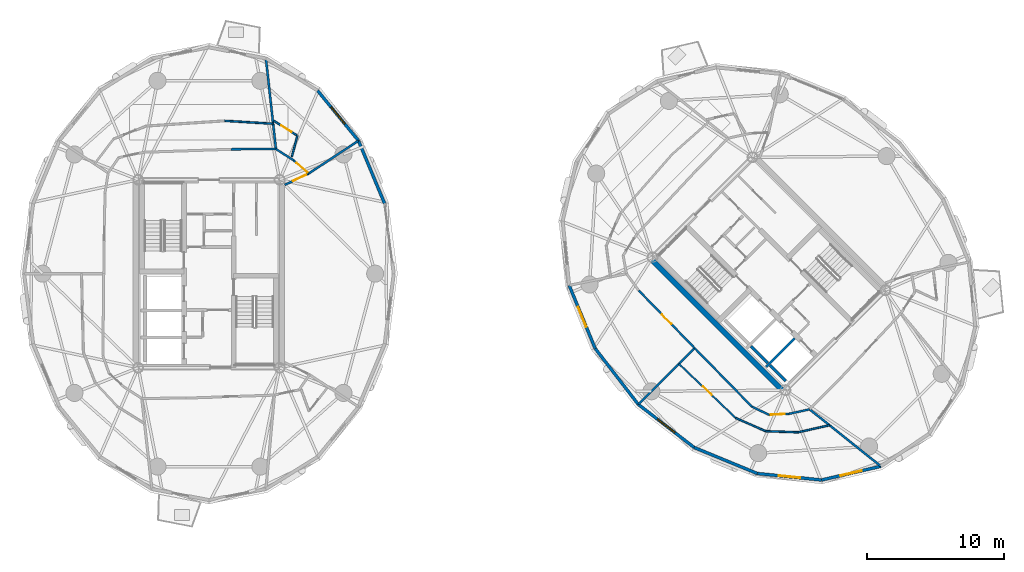
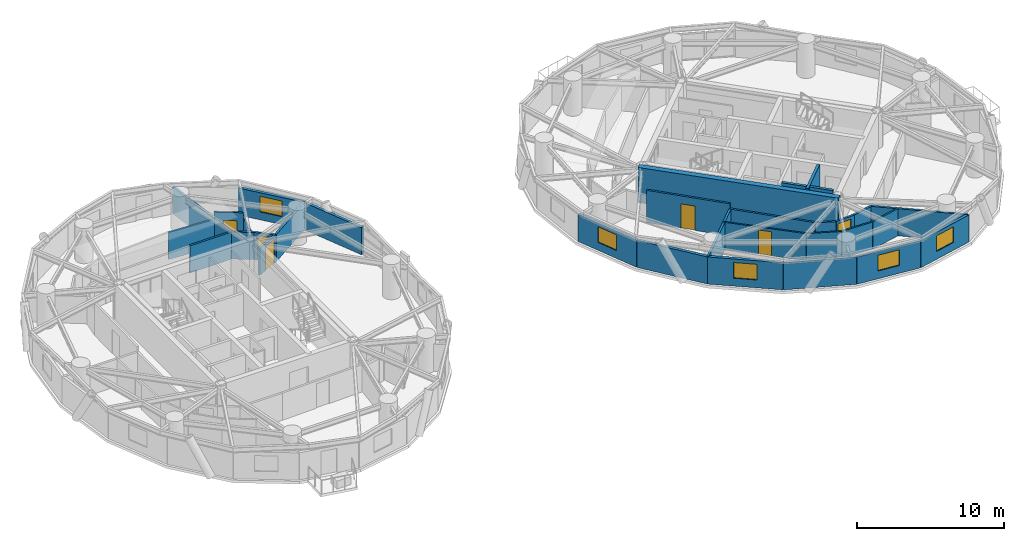
# One storey, part 10 of 16: 32 walls, 6 doors, 5 windows, 11 openings.
"""IFC4 building model written with IfcOpenShell, lengths in metres."""

from ifc_helpers import new_model, si_unit, direction, frame, frame_2d, origin, place, context, subcontext, project, spatial, rectangle, extrude, source, transform, mapped, material, layer, layer_set, type_object, element, fill, save


model = new_model("IFC4")

# Units and contexts
model_context = context("Model", 3, precision=1e-05, world=origin(), true_north=direction((0.0, 1.0)))
body_context = subcontext(model_context, "Body", "Model", "MODEL_VIEW")
ifc_project = project(units=[si_unit("LENGTHUNIT", "METRE"), si_unit("AREAUNIT", "SQUARE_METRE"), si_unit("VOLUMEUNIT", "CUBIC_METRE"), si_unit("PLANEANGLEUNIT", "RADIAN"), si_unit("MASSUNIT", "GRAM", prefix="KILO")], contexts=[model_context])

# Site, building, storey
site_placement = place(None, origin())
site = spatial("IfcSite", under=ifc_project, at=site_placement, CompositionType="ELEMENT")
building_placement = place(site_placement, origin())
building = spatial("IfcBuilding", under=site, at=building_placement, Name="Cununo Teusaquillo Station Towers", CompositionType="ELEMENT")
storey_placement = place(building_placement, frame((0.0, 0.0, 171.969970703125)))
storey = spatial("IfcBuildingStorey", under=building, at=storey_placement, Name="L54", CompositionType="ELEMENT", Elevation=171.969970703125)

# Walls
ifc_material_1 = material(Name="Concrete C50/60", Category="concrete")
ifc_layer_1 = layer(ifc_material_1, 0.199951171875)
ifc_layer_set_1 = layer_set([ifc_layer_1], Name="Concrete C50/60")
wall_type_1 = type_object("IfcWallType", Name="WL-CORE-200", PredefinedType="SHEAR", material=ifc_layer_set_1)
wall_1_placement = place(storey_placement, frame((57.2841796875, 17.6728515625, 0.0), z_axis=(0.0, 0.0, 1.0), x_axis=(0.707147878904, 0.70706568108, 0.0)))
element("IfcWall", 1, at=wall_1_placement, inside=storey, type_object=wall_type_1, Name="L54 Tower B High-Rise Lift Hoistway Divider Shear Wall", PredefinedType="SHEAR", context=body_context, shape_type="SweptSolid", body=[
    extrude(rectangle(XDim=2.97021484375, YDim=0.199951171875, at=frame_2d((1.485107421875, 0.0))), origin(), (0.0, 0.0, 1.0), 2.909912109375),
])
wall_2_placement = place(storey_placement, frame((57.41162109375, 17.969970703125, 0.0), z_axis=(0.0, 0.0, 1.0), x_axis=(-0.707106781187, 0.707106781187, 0.0)))
element("IfcWall", 2, at=wall_2_placement, inside=storey, type_object=wall_type_1, Name="L54 Tower B High-Rise Lift 2 Shaft Rear Shear Wall", PredefinedType="SHEAR", context=body_context, shape_type="SweptSolid", body=[
    extrude(rectangle(XDim=1.73486328125, YDim=0.199951171875, at=frame_2d((0.867431640625, 0.0))), origin(), (0.0, 0.0, 1.0), 2.909912109375),
])
wall_3_placement = place(storey_placement, frame((58.7373046875, 16.64404296875, 0.0), z_axis=(0.0, 0.0, 1.0), x_axis=(-0.707032117043, 0.707181437447, 0.0)))
element("IfcWall", 3, at=wall_3_placement, inside=storey, type_object=wall_type_1, Name="L54 Tower B High-Rise Lift 1 Shaft Rear Shear Wall", PredefinedType="SHEAR", context=body_context, shape_type="SweptSolid", body=[
    extrude(rectangle(XDim=1.635009765625, YDim=0.199951171875, at=frame_2d((0.8173828125, 0.0))), origin(), (0.0, 0.0, 1.0), 2.909912109375),
])
ifc_material_2 = material(Name="Concrete C50/60", Category="concrete")
ifc_layer_2 = layer(ifc_material_2, 0.39990234375)
ifc_layer_set_2 = layer_set([ifc_layer_2], Name="Concrete C50/60")
wall_type_2 = type_object("IfcWallType", Name="WL-CORE-400", PredefinedType="SHEAR", material=ifc_layer_set_2)
wall_4_placement = place(storey_placement, frame((58.7021484375, 15.73193359375, 0.0), z_axis=(0.0, 0.0, 1.0), x_axis=(-0.707106781187, 0.707106781187, 0.0)))
element("IfcWall", 4, at=wall_4_placement, inside=storey, type_object=wall_type_2, Name="L54 Tower B Core Shear Wall W", PredefinedType="SHEAR", context=body_context, shape_type="SweptSolid", body=[
    extrude(rectangle(XDim=14.10009765625, YDim=0.39990234375, at=frame_2d((7.050048828125, 0.0))), origin(), (0.0, 0.0, 1.0), 2.909912109375),
])
ifc_material_3 = material(Name="Precast concrete C40/50", Category="concrete")
ifc_layer_3 = layer(ifc_material_3, 0.219970703125)
ifc_layer_set_3 = layer_set([ifc_layer_3], Name="Precast concrete C40/50")
wall_type_3 = type_object("IfcWallType", Name="WL-EXT-220", PredefinedType="SOLIDWALL", material=ifc_layer_set_3)
wall_5_placement = place(storey_placement, frame((27.44677734375, 34.239501953125, 0.0), z_axis=(0.0, 0.0, 1.0), x_axis=(0.384144094086, -0.923273152961, 0.0)))
element("IfcWall", 5, at=wall_5_placement, inside=storey, type_object=wall_type_3, Name="L54 Tower A Exterior Facade Wall C01", PredefinedType="SOLIDWALL", context=body_context, shape_type="SweptSolid", body=[
    extrude(rectangle(XDim=5.0029296875, YDim=0.219970703125, at=frame_2d((2.50146484375, 0.0))), origin(), (0.0, 0.0, 1.0), 2.2451171875),
])

# Wall, opening, window
wall_6_placement = place(storey_placement, frame((24.453369140625, 37.905517578125, 0.0), z_axis=(0.0, 0.0, 1.0), x_axis=(0.632470615287, -0.774584353572, 0.0)))
wall_6 = element("IfcWall", 6, at=wall_6_placement, inside=storey, type_object=wall_type_3, Name="L54 Tower A Exterior Facade Wall C02", PredefinedType="SOLIDWALL", context=body_context, shape_type="SweptSolid", body=[
    extrude(rectangle(XDim=4.73291015625, YDim=0.219970703125, at=frame_2d((2.366455078125, 0.0))), origin(), (0.0, 0.0, 1.0), 2.2451171875),
])
shared_shape_1 = source(origin(), body_context, "Body", "SweptSolid", [
    extrude(rectangle(XDim=1.60009765625, YDim=1.300048828125, at=frame_2d((0.800048828125, 0.64990234375))), frame((0.0, 0.119873046875, 0.0), z_axis=(0.0, -1.0, 0.0), x_axis=(1.0, 0.0, 0.0)), (0.0, 0.0, 1.0), 0.239990234375),
])
opening_1_placement = place(wall_6_placement, frame((1.56591796875, 0.0, 0.64990234375)))
opening_1 = element("IfcOpeningElement", 7, at=opening_1_placement, cuts=wall_6, Name="Opening WN-03", PredefinedType="OPENING", context=body_context, shape_type="MappedRepresentation", body=[
    mapped(shared_shape_1, transform((0.0, 0.0, 0.0), x_axis=(1.0, 0.0, 0.0), y_axis=(0.0, 1.0, 0.0), z_axis=(0.0, 0.0, 1.0), scale=1.0)),
])
ifc_material_4 = material(Name="Ceramic-fritted dark low-E double glazing", Category="glass")
window_type = type_object("IfcWindowType", Name="WIN-CORN-1600", PartitioningType="SINGLE_PANEL", PredefinedType="WINDOW", material=ifc_material_4)
shared_shape_2 = source(origin(), body_context, "Body", "SweptSolid", [
    extrude(rectangle(XDim=1.60009765625, YDim=1.300048828125, at=frame_2d((0.800048828125, 0.64990234375))), frame((0.0, 0.030029296875, 0.0), z_axis=(0.0, -1.0, 0.0), x_axis=(1.0, 0.0, 0.0)), (0.0, 0.0, 1.0), 0.06005859375),
])
window_1_placement = place(opening_1_placement, origin())
window_1 = element("IfcWindow", 8, at=window_1_placement, inside=storey, type_object=window_type, Name="L54 Tower A Facade Window C02", OverallHeight=1.300048828125, OverallWidth=1.60009765625, PartitioningType="SINGLE_PANEL", PredefinedType="WINDOW", context=body_context, shape_type="MappedRepresentation", body=[
    mapped(shared_shape_2, transform((0.0, 0.0, 0.0), x_axis=(1.0, 0.0, 0.0), y_axis=(0.0, 1.0, 0.0), z_axis=(0.0, 0.0, 1.0), scale=1.0)),
])
fill(opening_1, window_1)

wall_7_placement = place(storey_placement, frame((44.77978515625, 19.02099609375, 0.0), z_axis=(0.0, 0.0, 1.0), x_axis=(-0.381196434348, 0.924494066201, 0.0)))
wall_7 = element("IfcWall", 9, at=wall_7_placement, inside=storey, type_object=wall_type_3, Name="L54 Tower B Exterior Facade Wall C08", PredefinedType="SOLIDWALL", context=body_context, shape_type="SweptSolid", body=[
    extrude(rectangle(XDim=5.003173828125, YDim=0.219970703125, at=frame_2d((2.50146484375, 0.0))), origin(), (0.0, 0.0, 1.0), 2.2451171875),
])
opening_2_placement = place(wall_7_placement, frame((1.701904296875, 0.0, 0.64990234375)))
opening_2 = element("IfcOpeningElement", 10, at=opening_2_placement, cuts=wall_7, Name="Opening WN-03", PredefinedType="OPENING", context=body_context, shape_type="MappedRepresentation", body=[
    mapped(shared_shape_1, transform((0.0, 0.0, 0.0), x_axis=(1.0, 0.0, 0.0), y_axis=(0.0, 1.0, 0.0), z_axis=(0.0, 0.0, 1.0), scale=1.0)),
])
window_2_placement = place(opening_2_placement, origin())
window_2 = element("IfcWindow", 11, at=window_2_placement, inside=storey, type_object=window_type, Name="L54 Tower B Facade Window C08", OverallHeight=1.300048828125, OverallWidth=1.60009765625, PartitioningType="SINGLE_PANEL", PredefinedType="WINDOW", context=body_context, shape_type="MappedRepresentation", body=[
    mapped(shared_shape_2, transform((0.0, 0.0, 0.0), x_axis=(1.0, 0.0, 0.0), y_axis=(0.0, 1.0, 0.0), z_axis=(0.0, 0.0, 1.0), scale=1.0)),
])
fill(opening_2, window_2)

# Wall
wall_8_placement = place(storey_placement, frame((47.93212890625, 14.93212890625, 0.0), z_axis=(0.0, 0.0, 1.0), x_axis=(-0.610569654715, 0.791962560189, 0.0)))
element("IfcWall", 12, at=wall_8_placement, inside=storey, type_object=wall_type_3, Name="L54 Tower B Exterior Facade Wall C09", PredefinedType="SOLIDWALL", context=body_context, shape_type="SweptSolid", body=[
    extrude(rectangle(XDim=5.162841796875, YDim=0.219970703125, at=frame_2d((2.58154296875, 0.0))), origin(), (0.0, 0.0, 1.0), 2.2451171875),
])

# Wall, opening, window
wall_9_placement = place(storey_placement, frame((52.02099609375, 11.77978515625, 0.0), z_axis=(0.0, 0.0, 1.0), x_axis=(-0.791962560189, 0.610569654715, 0.0)))
wall_9 = element("IfcWall", 13, at=wall_9_placement, inside=storey, type_object=wall_type_3, Name="L54 Tower B Exterior Facade Wall C10", PredefinedType="SOLIDWALL", context=body_context, shape_type="SweptSolid", body=[
    extrude(rectangle(XDim=5.162841796875, YDim=0.219970703125, at=frame_2d((2.58154296875, 0.0))), origin(), (0.0, 0.0, 1.0), 2.2451171875),
])
opening_3_placement = place(wall_9_placement, frame((1.781982421875, 0.0, 0.64990234375)))
opening_3 = element("IfcOpeningElement", 14, at=opening_3_placement, cuts=wall_9, Name="Opening WN-03", PredefinedType="OPENING", context=body_context, shape_type="MappedRepresentation", body=[
    mapped(shared_shape_1, transform((0.0, 0.0, 0.0), x_axis=(1.0, 0.0, 0.0), y_axis=(0.0, 1.0, 0.0), z_axis=(0.0, 0.0, 1.0), scale=1.0)),
])
window_3_placement = place(opening_3_placement, origin())
window_3 = element("IfcWindow", 15, at=window_3_placement, inside=storey, type_object=window_type, Name="L54 Tower B Facade Window C10", OverallHeight=1.300048828125, OverallWidth=1.60009765625, PartitioningType="SINGLE_PANEL", PredefinedType="WINDOW", context=body_context, shape_type="MappedRepresentation", body=[
    mapped(shared_shape_2, transform((0.0, 0.0, 0.0), x_axis=(1.0, 0.0, 0.0), y_axis=(0.0, 1.0, 0.0), z_axis=(0.0, 0.0, 1.0), scale=1.0)),
])
fill(opening_3, window_3)

# Wall
wall_10_placement = place(storey_placement, frame((56.646484375, 9.87255859375, 0.0), z_axis=(0.0, 0.0, 1.0), x_axis=(-0.924494066201, 0.381196434348, 0.0)))
element("IfcWall", 16, at=wall_10_placement, inside=storey, type_object=wall_type_3, Name="L54 Tower B Exterior Facade Wall C11", PredefinedType="SOLIDWALL", context=body_context, shape_type="SweptSolid", body=[
    extrude(rectangle(XDim=5.003173828125, YDim=0.219970703125, at=frame_2d((2.50146484375, 0.0))), origin(), (0.0, 0.0, 1.0), 2.2451171875),
])

# Wall, opening, window
wall_11_placement = place(storey_placement, frame((61.355224609375, 9.397216796875, 0.0), z_axis=(0.0, 0.0, 1.0), x_axis=(-0.994943283129, 0.100438356004, 0.0)))
wall_11 = element("IfcWall", 17, at=wall_11_placement, inside=storey, type_object=wall_type_3, Name="L54 Tower B Exterior Facade Wall C12", PredefinedType="SOLIDWALL", context=body_context, shape_type="SweptSolid", body=[
    extrude(rectangle(XDim=4.732666015625, YDim=0.219970703125, at=frame_2d((2.3662109375, 0.0))), origin(), (0.0, 0.0, 1.0), 2.2451171875),
])
opening_4_placement = place(wall_11_placement, frame((1.56591796875, 0.0, 0.64990234375)))
opening_4 = element("IfcOpeningElement", 18, at=opening_4_placement, cuts=wall_11, Name="Opening WN-03", PredefinedType="OPENING", context=body_context, shape_type="MappedRepresentation", body=[
    mapped(shared_shape_1, transform((0.0, 0.0, 0.0), x_axis=(1.0, 0.0, 0.0), y_axis=(0.0, 1.0, 0.0), z_axis=(0.0, 0.0, 1.0), scale=1.0)),
])
window_4_placement = place(opening_4_placement, origin())
window_4 = element("IfcWindow", 19, at=window_4_placement, inside=storey, type_object=window_type, Name="L54 Tower B Facade Window C12", OverallHeight=1.300048828125, OverallWidth=1.60009765625, PartitioningType="SINGLE_PANEL", PredefinedType="WINDOW", context=body_context, shape_type="MappedRepresentation", body=[
    mapped(shared_shape_2, transform((0.0, 0.0, 0.0), x_axis=(1.0, 0.0, 0.0), y_axis=(0.0, 1.0, 0.0), z_axis=(0.0, 0.0, 1.0), scale=1.0)),
])
fill(opening_4, window_4)

wall_12_placement = place(storey_placement, frame((65.686767578125, 10.400146484375, 0.0), z_axis=(0.0, 0.0, 1.0), x_axis=(-0.97422620202, -0.22557328587, 0.0)))
wall_12 = element("IfcWall", 20, at=wall_12_placement, inside=storey, type_object=wall_type_3, Name="L54 Tower B Exterior Facade Wall C13", PredefinedType="SOLIDWALL", context=body_context, shape_type="SweptSolid", body=[
    extrude(rectangle(XDim=4.446044921875, YDim=0.219970703125, at=frame_2d((2.22314453125, 0.0))), origin(), (0.0, 0.0, 1.0), 2.2451171875),
])
opening_5_placement = place(wall_12_placement, frame((1.423095703125, 0.0, 0.64990234375)))
opening_5 = element("IfcOpeningElement", 21, at=opening_5_placement, cuts=wall_12, Name="Opening WN-03", PredefinedType="OPENING", context=body_context, shape_type="MappedRepresentation", body=[
    mapped(shared_shape_1, transform((0.0, 0.0, 0.0), x_axis=(1.0, 0.0, 0.0), y_axis=(0.0, 1.0, 0.0), z_axis=(0.0, 0.0, 1.0), scale=1.0)),
])
window_5_placement = place(opening_5_placement, origin())
window_5 = element("IfcWindow", 22, at=window_5_placement, inside=storey, type_object=window_type, Name="L54 Tower B Facade Window C13", OverallHeight=1.300048828125, OverallWidth=1.60009765625, PartitioningType="SINGLE_PANEL", PredefinedType="WINDOW", context=body_context, shape_type="MappedRepresentation", body=[
    mapped(shared_shape_2, transform((0.0, 0.0, 0.0), x_axis=(1.0, 0.0, 0.0), y_axis=(0.0, 1.0, 0.0), z_axis=(0.0, 0.0, 1.0), scale=1.0)),
])
fill(opening_5, window_5)

# Wall
ifc_material_5 = material(Name="Fire-rated gypsum plasterboard partition assembly", Category="gypsum")
ifc_layer_4 = layer(ifc_material_5, 0.125)
ifc_layer_set_4 = layer_set([ifc_layer_4], Name="Fire-rated gypsum plasterboard partition assembly")
wall_type_4 = type_object("IfcWallType", Name="WL-PART-125", PredefinedType="PARTITIONING", material=ifc_layer_set_4)
wall_13_placement = place(storey_placement, frame((22.573974609375, 33.066650390625, 0.0), z_axis=(0.0, 0.0, 1.0), x_axis=(0.251728683558, 0.967797845562, 0.0)))
element("IfcWall", 23, at=wall_13_placement, inside=storey, type_object=wall_type_4, Name="L54 Tower A S01 En-suite Side Wall", PredefinedType="PARTITIONING", context=body_context, shape_type="SweptSolid", body=[
    extrude(rectangle(XDim=1.591552734375, YDim=0.125, at=frame_2d((0.7958984375, 0.0))), origin(), (0.0, 0.0, 1.0), 2.2451171875),
])

# Wall, opening, door
wall_14_placement = place(storey_placement, frame((22.922119140625, 34.639892578125, 0.0), z_axis=(0.0, 0.0, 1.0), x_axis=(-0.846020986113, 0.533149595382, 0.0)))
wall_14 = element("IfcWall", 24, at=wall_14_placement, inside=storey, type_object=wall_type_4, Name="L54 Tower A S01 En-suite Back Wall", PredefinedType="PARTITIONING", context=body_context, shape_type="SweptSolid", body=[
    extrude(rectangle(XDim=1.98291015625, YDim=0.125, at=frame_2d((0.991455078125, 0.0))), origin(), (0.0, 0.0, 1.0), 2.675048828125),
])
shared_shape_3 = source(origin(), body_context, "Body", "SweptSolid", [
    extrude(rectangle(XDim=0.89990234375, YDim=2.0048828125, at=frame_2d((0.449951171875, 1.00244140625))), frame((0.0, 0.072509765625, 0.0), z_axis=(0.0, -1.0, 0.0), x_axis=(1.0, 0.0, 0.0)), (0.0, 0.0, 1.0), 0.14501953125),
])
opening_6_placement = place(wall_14_placement, frame((0.43603515625, 0.0, 0.0)))
opening_6 = element("IfcOpeningElement", 25, at=opening_6_placement, cuts=wall_14, Name="Opening D-IN1", PredefinedType="OPENING", context=body_context, shape_type="MappedRepresentation", body=[
    mapped(shared_shape_3, transform((0.0, 0.0, 0.0), x_axis=(1.0, 0.0, 0.0), y_axis=(0.0, 1.0, 0.0), z_axis=(0.0, 0.0, 1.0), scale=1.0)),
])
ifc_material_6 = material(Name="Acoustic solid-core hardwood leaf assembly", Category="wood")
door_type_1 = type_object("IfcDoorType", Name="DR-INT-900", OperationType="NOTDEFINED", PredefinedType="DOOR", material=ifc_material_6)
shared_shape_4 = source(origin(), body_context, "Body", "SweptSolid", [
    extrude(rectangle(XDim=0.89990234375, YDim=2.0048828125, at=frame_2d((0.449951171875, 1.00244140625))), frame((0.0, 0.02490234375, 0.0), z_axis=(0.0, -1.0, 0.0), x_axis=(1.0, 0.0, 0.0)), (0.0, 0.0, 1.0), 0.050048828125),
])
door_1_placement = place(opening_6_placement, origin())
door_1 = element("IfcDoor", 26, at=door_1_placement, inside=storey, type_object=door_type_1, Name="L54 Tower A S01 En-suite Bathroom Door", OperationType="SINGLE_SWING_RIGHT", OverallHeight=2.0048828125, OverallWidth=0.89990234375, PredefinedType="DOOR", context=body_context, shape_type="MappedRepresentation", body=[
    mapped(shared_shape_4, transform((0.0, 0.0, 0.0), x_axis=(1.0, 0.0, 0.0), y_axis=(0.0, 1.0, 0.0), z_axis=(0.0, 0.0, 1.0), scale=1.0)),
])
fill(opening_6, door_1)

# Wall
wall_15_placement = place(storey_placement, frame((21.2001953125, 35.47900390625, 0.0), z_axis=(0.0, 0.0, 1.0), x_axis=(-0.998186807544, 0.060192169299, 0.0)))
element("IfcWall", 27, at=wall_15_placement, inside=storey, type_object=wall_type_4, Name="L54 Tower A Private Butler & Banquet Hall Concentric Partition Wall C04", PredefinedType="PARTITIONING", context=body_context, shape_type="SweptSolid", body=[
    extrude(rectangle(XDim=3.552978515625, YDim=0.125, at=frame_2d((1.7763671875, 0.0))), origin(), (0.0, 0.0, 1.0), 2.2451171875),
])

# Wall, opening, door
wall_16_placement = place(storey_placement, frame((50.90478515625, 17.90478515625, 0.0), z_axis=(0.0, 0.0, 1.0), x_axis=(0.723816902075, -0.689992095803, 0.0)))
wall_16 = element("IfcWall", 28, at=wall_16_placement, inside=storey, type_object=wall_type_4, Name="L54 Tower B Grand Cordillera Club Salon Concentric Partition Wall C10", PredefinedType="PARTITIONING", context=body_context, shape_type="SweptSolid", body=[
    extrude(rectangle(XDim=5.752685546875, YDim=0.125, at=frame_2d((2.87646484375, 0.0))), origin(), (0.0, 0.0, 1.0), 2.2451171875),
])
opening_7_placement = place(wall_16_placement, frame((2.42626953125, 0.0, 0.0)))
opening_7 = element("IfcOpeningElement", 29, at=opening_7_placement, cuts=wall_16, Name="Opening D-IN1", PredefinedType="OPENING", context=body_context, shape_type="MappedRepresentation", body=[
    mapped(shared_shape_3, transform((0.0, 0.0, 0.0), x_axis=(1.0, 0.0, 0.0), y_axis=(0.0, 1.0, 0.0), z_axis=(0.0, 0.0, 1.0), scale=1.0)),
])
door_2_placement = place(opening_7_placement, origin())
door_2 = element("IfcDoor", 30, at=door_2_placement, inside=storey, type_object=door_type_1, Name="L54 Tower B Grand Cordillera Club Salon Connecting Door", OperationType="SINGLE_SWING_RIGHT", OverallHeight=2.0048828125, OverallWidth=0.89990234375, PredefinedType="DOOR", context=body_context, shape_type="MappedRepresentation", body=[
    mapped(shared_shape_4, transform((0.0, 0.0, 0.0), x_axis=(1.0, 0.0, 0.0), y_axis=(0.0, 1.0, 0.0), z_axis=(0.0, 0.0, 1.0), scale=1.0)),
])
fill(opening_7, door_2)

# Walls
wall_17_placement = place(storey_placement, frame((55.068603515625, 13.935546875, 0.0), z_axis=(0.0, 0.0, 1.0), x_axis=(0.915625735972, -0.402031729626, 0.0)))
element("IfcWall", 31, at=wall_17_placement, inside=storey, type_object=wall_type_4, Name="L54 Tower B Grand Cordillera Club Salon Concentric Partition Wall C11", PredefinedType="PARTITIONING", context=body_context, shape_type="SweptSolid", body=[
    extrude(rectangle(XDim=2.396240234375, YDim=0.125, at=frame_2d((1.1982421875, 0.0))), origin(), (0.0, 0.0, 1.0), 2.2451171875),
])
wall_18_placement = place(storey_placement, frame((57.2626953125, 12.97216796875, 0.0), z_axis=(0.0, 0.0, 1.0), x_axis=(0.999399614086, -0.034646953192, 0.0)))
element("IfcWall", 32, at=wall_18_placement, inside=storey, type_object=wall_type_4, Name="L54 Tower B Grand Cordillera Club Salon Concentric Partition Wall C12", PredefinedType="PARTITIONING", context=body_context, shape_type="SweptSolid", body=[
    extrude(rectangle(XDim=2.36767578125, YDim=0.125, at=frame_2d((1.183837890625, 0.0))), origin(), (0.0, 0.0, 1.0), 2.2451171875),
])
wall_19_placement = place(storey_placement, frame((59.62890625, 12.89013671875, 0.0), z_axis=(0.0, 0.0, 1.0), x_axis=(0.97566344203, 0.219273454585, 0.0)))
element("IfcWall", 33, at=wall_19_placement, inside=storey, type_object=wall_type_4, Name="L54 Tower B Grand Cordillera Club Salon Concentric Partition Wall C13", PredefinedType="PARTITIONING", context=body_context, shape_type="SweptSolid", body=[
    extrude(rectangle(XDim=2.3603515625, YDim=0.125, at=frame_2d((1.18017578125, 0.0))), origin(), (0.0, 0.0, 1.0), 2.2451171875),
])

# Wall, opening, door
ifc_material_7 = material(Name="Fire-rated gypsum plasterboard partition assembly", Category="gypsum")
ifc_layer_5 = layer(ifc_material_7, 0.14990234375)
ifc_layer_set_5 = layer_set([ifc_layer_5], Name="Fire-rated gypsum plasterboard partition assembly")
wall_type_5 = type_object("IfcWallType", Name="WL-PART-150", PredefinedType="PARTITIONING", material=ifc_layer_set_5)
wall_20_placement = place(storey_placement, frame((23.794189453125, 31.82568359375, 0.0), z_axis=(0.0, 0.0, 1.0), x_axis=(-0.745254554732, 0.666780060178, 0.0)))
wall_20 = element("IfcWall", 34, at=wall_20_placement, inside=storey, type_object=wall_type_5, Name="L54 Tower A Corridor Ring Wall C02", PredefinedType="PARTITIONING", context=body_context, shape_type="SweptSolid", body=[
    extrude(rectangle(XDim=1.446533203125, YDim=0.14990234375, at=frame_2d((0.72314453125, 0.0))), origin(), (0.0, 0.0, 1.0), 2.2451171875),
])
shared_shape_5 = source(origin(), body_context, "Body", "SweptSolid", [
    extrude(rectangle(XDim=1.050048828125, YDim=2.014892578125, at=frame_2d((0.52490234375, 1.00732421875))), frame((0.0, 0.0849609375, 0.0), z_axis=(0.0, -1.0, 0.0), x_axis=(1.0, 0.0, 0.0)), (0.0, 0.0, 1.0), 0.169921875),
])
opening_8_placement = place(wall_20_placement, frame((0.1201171875, 0.0, 0.0)))
opening_8 = element("IfcOpeningElement", 35, at=opening_8_placement, cuts=wall_20, Name="Opening D-SU1", PredefinedType="OPENING", context=body_context, shape_type="MappedRepresentation", body=[
    mapped(shared_shape_5, transform((0.0, 0.0, 0.0), x_axis=(1.0, 0.0, 0.0), y_axis=(0.0, 1.0, 0.0), z_axis=(0.0, 0.0, 1.0), scale=1.0)),
])
ifc_material_8 = material(Name="Acoustic solid-core hardwood leaf assembly", Category="wood")
door_type_2 = type_object("IfcDoorType", Name="DR-SUITE-1050", OperationType="NOTDEFINED", PredefinedType="DOOR", material=ifc_material_8)
shared_shape_6 = source(origin(), body_context, "Body", "SweptSolid", [
    extrude(rectangle(XDim=1.050048828125, YDim=2.014892578125, at=frame_2d((0.52490234375, 1.00732421875))), frame((0.0, 0.02490234375, 0.0), z_axis=(0.0, -1.0, 0.0), x_axis=(1.0, 0.0, 0.0)), (0.0, 0.0, 1.0), 0.050048828125),
])
door_3_placement = place(opening_8_placement, origin())
door_3 = element("IfcDoor", 36, at=door_3_placement, inside=storey, type_object=door_type_2, Name="L54 Tower A Royal Teusaquillo Hotel Suite Entrance Door", OperationType="SINGLE_SWING_LEFT", OverallHeight=2.014892578125, OverallWidth=1.050048828125, PredefinedType="DOOR", context=body_context, shape_type="MappedRepresentation", body=[
    mapped(shared_shape_6, transform((0.0, 0.0, 0.0), x_axis=(1.0, 0.0, 0.0), y_axis=(0.0, 1.0, 0.0), z_axis=(0.0, 0.0, 1.0), scale=1.0)),
])
fill(opening_8, door_3)

# Walls
wall_21_placement = place(storey_placement, frame((22.716064453125, 32.790283203125, 0.0), z_axis=(0.0, 0.0, 1.0), x_axis=(-0.842988828391, 0.537931069197, 0.0)))
element("IfcWall", 37, at=wall_21_placement, inside=storey, type_object=wall_type_5, Name="L54 Tower A Corridor Ring Wall C03", PredefinedType="PARTITIONING", context=body_context, shape_type="SweptSolid", body=[
    extrude(rectangle(XDim=1.555908203125, YDim=0.14990234375, at=frame_2d((0.77783203125, 0.0))), origin(), (0.0, 0.0, 1.0), 2.2451171875),
])
wall_22_placement = place(storey_placement, frame((21.404541015625, 33.627197265625, 0.0), z_axis=(0.0, 0.0, 1.0), x_axis=(-0.999985834797, -0.00532261256, 0.0)))
element("IfcWall", 38, at=wall_22_placement, inside=storey, type_object=wall_type_5, Name="L54 Tower A Corridor Ring Wall C04", PredefinedType="PARTITIONING", context=body_context, shape_type="SweptSolid", body=[
    extrude(rectangle(XDim=3.302490234375, YDim=0.14990234375, at=frame_2d((1.6513671875, 0.0))), origin(), (0.0, 0.0, 1.0), 2.2451171875),
])

# Wall, opening, door
wall_23_placement = place(storey_placement, frame((47.958984375, 23.276611328125, 0.0), z_axis=(0.0, 0.0, 1.0), x_axis=(0.696422573496, -0.717631938479, 0.0)))
wall_23 = element("IfcWall", 39, at=wall_23_placement, inside=storey, type_object=wall_type_5, Name="L54 Tower B Corridor Ring Wall C09", PredefinedType="PARTITIONING", context=body_context, shape_type="SweptSolid", body=[
    extrude(rectangle(XDim=5.882080078125, YDim=0.14990234375, at=frame_2d((2.94091796875, 0.0))), origin(), (0.0, 0.0, 1.0), 2.675048828125),
])
shared_shape_7 = source(origin(), body_context, "Body", "SweptSolid", [
    extrude(rectangle(XDim=1.0, YDim=2.014892578125, at=frame_2d((0.5, 1.00732421875))), frame((0.0, 0.0849609375, 0.0), z_axis=(0.0, -1.0, 0.0), x_axis=(1.0, 0.0, 0.0)), (0.0, 0.0, 1.0), 0.169921875),
])
opening_9_placement = place(wall_23_placement, frame((2.44091796875, 0.0, 0.0)))
opening_9 = element("IfcOpeningElement", 40, at=opening_9_placement, cuts=wall_23, Name="Opening D-AC1", PredefinedType="OPENING", context=body_context, shape_type="MappedRepresentation", body=[
    mapped(shared_shape_7, transform((0.0, 0.0, 0.0), x_axis=(1.0, 0.0, 0.0), y_axis=(0.0, 1.0, 0.0), z_axis=(0.0, 0.0, 1.0), scale=1.0)),
])
ifc_material_9 = material(Name="Acoustic solid-core hardwood leaf assembly", Category="wood")
door_type_3 = type_object("IfcDoorType", Name="DR-ACC-1000", OperationType="NOTDEFINED", PredefinedType="DOOR", material=ifc_material_9)
shared_shape_8 = source(origin(), body_context, "Body", "SweptSolid", [
    extrude(rectangle(XDim=1.0, YDim=2.014892578125, at=frame_2d((0.5, 1.00732421875))), frame((0.0, 0.02490234375, 0.0), z_axis=(0.0, -1.0, 0.0), x_axis=(1.0, 0.0, 0.0)), (0.0, 0.0, 1.0), 0.050048828125),
])
door_4_placement = place(opening_9_placement, origin())
door_4 = element("IfcDoor", 41, at=door_4_placement, inside=storey, type_object=door_type_3, Name="L54 Tower B Public Accessible Restroom WC Entrance Door", OperationType="SINGLE_SWING_RIGHT", OverallHeight=2.014892578125, OverallWidth=1.0, PredefinedType="DOOR", context=body_context, shape_type="MappedRepresentation", body=[
    mapped(shared_shape_8, transform((0.0, 0.0, 0.0), x_axis=(1.0, 0.0, 0.0), y_axis=(0.0, 1.0, 0.0), z_axis=(0.0, 0.0, 1.0), scale=1.0)),
])
fill(opening_9, door_4)

# Walls
wall_24_placement = place(storey_placement, frame((52.055419921875, 19.055419921875, 0.0), z_axis=(0.0, 0.0, 1.0), x_axis=(0.699249850691, -0.714877364524, 0.0)))
element("IfcWall", 42, at=wall_24_placement, inside=storey, type_object=wall_type_5, Name="L54 Tower B Corridor Ring Wall C10", PredefinedType="PARTITIONING", context=body_context, shape_type="SweptSolid", body=[
    extrude(rectangle(XDim=5.9990234375, YDim=0.14990234375, at=frame_2d((2.99951171875, 0.0))), origin(), (0.0, 0.0, 1.0), 2.2451171875),
])
wall_25_placement = place(storey_placement, frame((56.250244140625, 14.766845703125, 0.0), z_axis=(0.0, 0.0, 1.0), x_axis=(0.902518380752, -0.430651335078, 0.0)))
element("IfcWall", 43, at=wall_25_placement, inside=storey, type_object=wall_type_5, Name="L54 Tower B Corridor Ring Wall C11", PredefinedType="PARTITIONING", context=body_context, shape_type="SweptSolid", body=[
    extrude(rectangle(XDim=1.385986328125, YDim=0.14990234375, at=frame_2d((0.69287109375, 0.0))), origin(), (0.0, 0.0, 1.0), 2.2451171875),
])

# Wall, opening, door
wall_26_placement = place(storey_placement, frame((57.501220703125, 14.169921875, 0.0), z_axis=(0.0, 0.0, 1.0), x_axis=(0.998814137693, 0.048685915254, 0.0)))
wall_26 = element("IfcWall", 44, at=wall_26_placement, inside=storey, type_object=wall_type_5, Name="L54 Tower B Corridor Ring Wall C12", PredefinedType="PARTITIONING", context=body_context, shape_type="SweptSolid", body=[
    extrude(rectangle(XDim=1.459228515625, YDim=0.14990234375, at=frame_2d((0.7294921875, 0.0))), origin(), (0.0, 0.0, 1.0), 2.2451171875),
])
opening_10_placement = place(wall_26_placement, frame((0.1201171875, 0.0, 0.0)))
opening_10 = element("IfcOpeningElement", 45, at=opening_10_placement, cuts=wall_26, Name="Opening D-SU1", PredefinedType="OPENING", context=body_context, shape_type="MappedRepresentation", body=[
    mapped(shared_shape_5, transform((0.0, 0.0, 0.0), x_axis=(1.0, 0.0, 0.0), y_axis=(0.0, 1.0, 0.0), z_axis=(0.0, 0.0, 1.0), scale=1.0)),
])
door_5_placement = place(opening_10_placement, origin())
door_5 = element("IfcDoor", 46, at=door_5_placement, inside=storey, type_object=door_type_2, Name="L54 Tower B Grand Cordillera Club Salon Entrance Door", OperationType="SINGLE_SWING_LEFT", OverallHeight=2.014892578125, OverallWidth=1.050048828125, PredefinedType="DOOR", context=body_context, shape_type="MappedRepresentation", body=[
    mapped(shared_shape_6, transform((0.0, 0.0, 0.0), x_axis=(1.0, 0.0, 0.0), y_axis=(0.0, 1.0, 0.0), z_axis=(0.0, 0.0, 1.0), scale=1.0)),
])
fill(opening_10, door_5)

# Walls
wall_27_placement = place(storey_placement, frame((58.958740234375, 14.240966796875, 0.0), z_axis=(0.0, 0.0, 1.0), x_axis=(0.977216106897, 0.212246744196, 0.0)))
element("IfcWall", 47, at=wall_27_placement, inside=storey, type_object=wall_type_5, Name="L54 Tower B Corridor Ring Wall C13", PredefinedType="PARTITIONING", context=body_context, shape_type="SweptSolid", body=[
    extrude(rectangle(XDim=1.5517578125, YDim=0.14990234375, at=frame_2d((0.77587890625, 0.0))), origin(), (0.0, 0.0, 1.0), 2.2451171875),
])
ifc_material_10 = material(Name="Fire-rated gypsum plasterboard partition assembly", Category="gypsum")
ifc_layer_6 = layer(ifc_material_10, 0.159912109375)
ifc_layer_set_6 = layer_set([ifc_layer_6], Name="Fire-rated gypsum plasterboard partition assembly")
wall_type_6 = type_object("IfcWallType", Name="WL-PART-160", PredefinedType="PARTITIONING", material=ifc_layer_set_6)
wall_28_placement = place(storey_placement, frame((23.794189453125, 31.82568359375, 0.0), z_axis=(0.0, 0.0, 1.0), x_axis=(0.834395586857, 0.551166040892, 0.0)))
element("IfcWall", 48, at=wall_28_placement, inside=storey, type_object=wall_type_6, Name="L54 Tower A Radial Suite Partition R01", PredefinedType="PARTITIONING", context=body_context, shape_type="SweptSolid", body=[
    extrude(rectangle(XDim=4.358154296875, YDim=0.159912109375, at=frame_2d((2.17919921875, 0.0))), origin(), (0.0, 0.0, 1.0), 2.2451171875),
])
wall_29_placement = place(storey_placement, frame((21.404541015625, 33.627197265625, 0.0), z_axis=(0.0, 0.0, 1.0), x_axis=(-0.109650118052, 0.993970246844, 0.0)))
element("IfcWall", 49, at=wall_29_placement, inside=storey, type_object=wall_type_6, Name="L54 Tower A Radial Suite Partition R02", PredefinedType="PARTITIONING", context=body_context, shape_type="SweptSolid", body=[
    extrude(rectangle(XDim=6.65283203125, YDim=0.159912109375, at=frame_2d((3.326416015625, 0.0))), origin(), (0.0, 0.0, 1.0), 2.2451171875),
])

# Wall, opening, door
wall_30_placement = place(storey_placement, frame((22.050048828125, 31.0, 0.0), z_axis=(0.0, 0.0, 1.0), x_axis=(0.90383570832, 0.427879670428, 0.0)))
wall_30 = element("IfcWall", 50, at=wall_30_placement, inside=storey, type_object=wall_type_6, Name="L54 Tower A East Salon Corridor Portal Wall NE", PredefinedType="PARTITIONING", context=body_context, shape_type="SweptSolid", body=[
    extrude(rectangle(XDim=1.9296875, YDim=0.159912109375, at=frame_2d((0.96484375, 0.0))), origin(), (0.0, 0.0, 1.0), 2.2451171875),
])
shared_shape_9 = source(origin(), body_context, "Body", "SweptSolid", [
    extrude(rectangle(XDim=1.050048828125, YDim=2.014892578125, at=frame_2d((0.52490234375, 1.00732421875))), frame((0.0, 0.08984375, 0.0), z_axis=(0.0, -1.0, 0.0), x_axis=(1.0, 0.0, 0.0)), (0.0, 0.0, 1.0), 0.179931640625),
])
opening_11_placement = place(wall_30_placement, frame((0.6796875, 0.0, 0.0)))
opening_11 = element("IfcOpeningElement", 51, at=opening_11_placement, cuts=wall_30, Name="Opening D-SU1", PredefinedType="OPENING", context=body_context, shape_type="MappedRepresentation", body=[
    mapped(shared_shape_9, transform((0.0, 0.0, 0.0), x_axis=(1.0, 0.0, 0.0), y_axis=(0.0, 1.0, 0.0), z_axis=(0.0, 0.0, 1.0), scale=1.0)),
])
door_6_placement = place(opening_11_placement, origin())
door_6 = element("IfcDoor", 52, at=door_6_placement, inside=storey, type_object=door_type_2, Name="L54 Tower A East Panorama Sky Salon Door NE", OperationType="SINGLE_SWING_LEFT", OverallHeight=2.014892578125, OverallWidth=1.050048828125, PredefinedType="DOOR", context=body_context, shape_type="MappedRepresentation", body=[
    mapped(shared_shape_6, transform((0.0, 0.0, 0.0), x_axis=(1.0, 0.0, 0.0), y_axis=(0.0, 1.0, 0.0), z_axis=(0.0, 0.0, 1.0), scale=1.0)),
])
fill(opening_11, door_6)

# Walls
wall_31_placement = place(storey_placement, frame((52.055419921875, 19.055419921875, 0.0), z_axis=(0.0, 0.0, 1.0), x_axis=(-0.707106781187, -0.707106781187, 0.0)))
element("IfcWall", 53, at=wall_31_placement, inside=storey, type_object=wall_type_6, Name="L54 Tower B Radial Suite Partition R04", PredefinedType="PARTITIONING", context=body_context, shape_type="SweptSolid", body=[
    extrude(rectangle(XDim=5.811279296875, YDim=0.159912109375, at=frame_2d((2.90576171875, 0.0))), origin(), (0.0, 0.0, 1.0), 2.2451171875),
])
wall_32_placement = place(storey_placement, frame((60.47509765625, 14.5703125, 0.0), z_axis=(0.0, 0.0, 1.0), x_axis=(0.78156967059, -0.623817962241, 0.0)))
element("IfcWall", 54, at=wall_32_placement, inside=storey, type_object=wall_type_6, Name="L54 Tower B Radial Suite Partition R05", PredefinedType="PARTITIONING", context=body_context, shape_type="SweptSolid", body=[
    extrude(rectangle(XDim=6.65625, YDim=0.159912109375, at=frame_2d((3.328125, 0.0))), origin(), (0.0, 0.0, 1.0), 2.2451171875),
])

save(model, "model.ifc")
